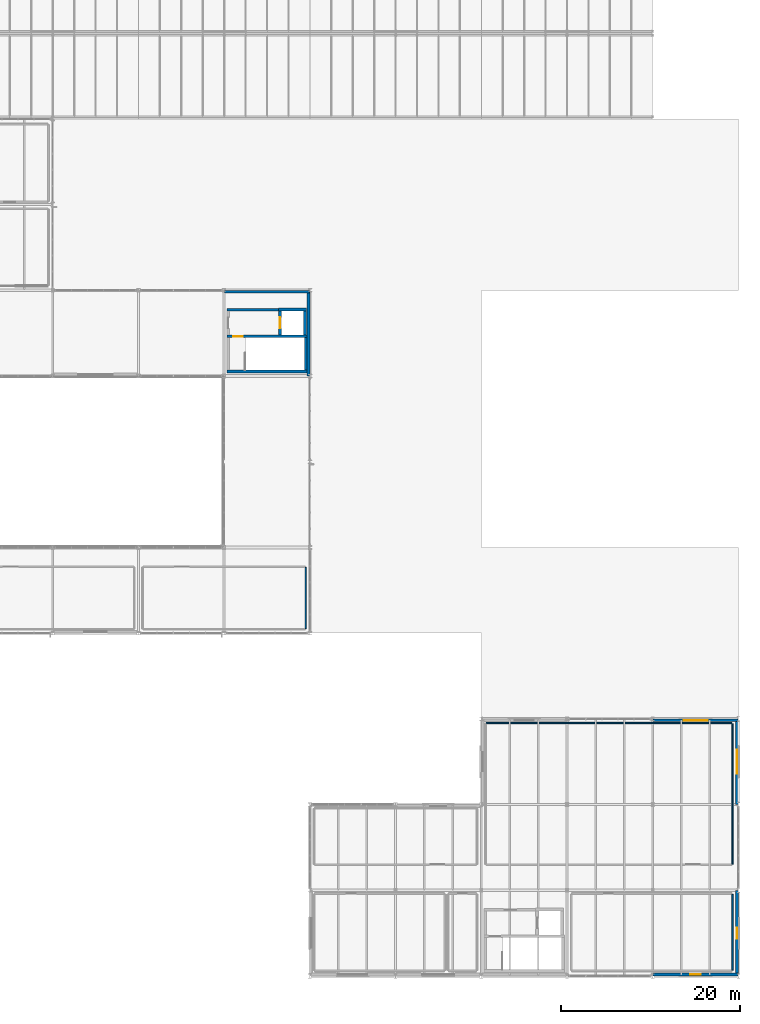
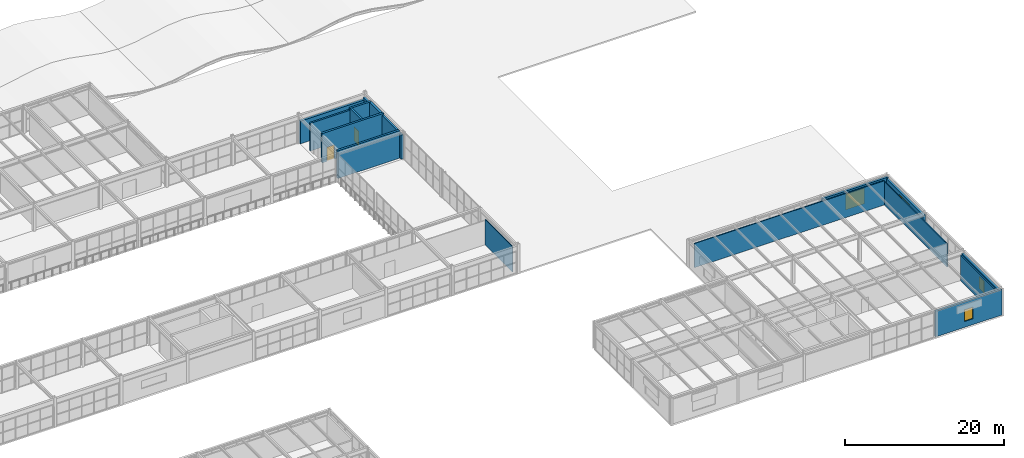
# One storey, part 156 of 170: 17 walls, 4 windows, 2 doors, 6 openings.
"""IFC4 building model written with IfcOpenShell, lengths in metres."""

from ifc_helpers import new_model, si_unit, direction, frame, frame_2d, origin, place, context, subcontext, project, spatial, rectangle, extrude, material, layer, layer_set, type_object, element, fill, save


model = new_model("IFC4")

# Units and contexts
model_context = context("Model", 3, precision=1e-05, world=origin(), true_north=direction((0.0, 1.0)))
body_context = subcontext(model_context, "Body", "Model", "MODEL_VIEW")
ifc_project = project(units=[si_unit("LENGTHUNIT", "METRE"), si_unit("AREAUNIT", "SQUARE_METRE"), si_unit("VOLUMEUNIT", "CUBIC_METRE"), si_unit("PLANEANGLEUNIT", "RADIAN"), si_unit("MASSUNIT", "GRAM", prefix="KILO")], contexts=[model_context])

# Site, building, storey
site_placement = place(None, origin())
site = spatial("IfcSite", under=ifc_project, at=site_placement, CompositionType="ELEMENT")
building_placement = place(site_placement, origin())
building = spatial("IfcBuilding", under=site, at=building_placement, Name="Coralgate Yard Interchange", CompositionType="ELEMENT")
storey_placement = place(building_placement, frame((0.0, 0.0, 6.0)))
storey = spatial("IfcBuildingStorey", under=building, at=storey_placement, Name="L01", CompositionType="ELEMENT", Elevation=6.0)

# Wall
ifc_material_1 = material(Name="Concrete C40/50", Category="concrete")
ifc_layer_1 = layer(ifc_material_1, 0.300048828125)
ifc_layer_set_1 = layer_set([ifc_layer_1], Name="Concrete C40/50")
wall_type_1 = type_object("IfcWallType", Name="WAL-CW300", PredefinedType="SHEAR", material=ifc_layer_set_1)
wall_1_placement = place(storey_placement, frame((125.10009765625, 67.699951171875, 0.0), z_axis=(0.0, 0.0, 1.0), x_axis=(1.0, 0.0, 0.0)))
element("IfcWall", 1, at=wall_1_placement, inside=storey, type_object=wall_type_1, Name="C7 L01 stair south shear wall", PredefinedType="SHEAR", context=body_context, shape_type="SweptSolid", body=[
    extrude(rectangle(XDim=9.0, YDim=0.300048828125, at=frame_2d((4.5, 0.0))), origin(), (0.0, 0.0, 1.0), 4.25),
])

# Wall, opening, door
wall_2_placement = place(storey_placement, frame((134.10009765625, 71.64990234375, 0.0), z_axis=(0.0, 0.0, 1.0), x_axis=(-1.0, 0.0, 0.0)))
wall_2 = element("IfcWall", 2, at=wall_2_placement, inside=storey, type_object=wall_type_1, Name="C7 L01 stair north shear wall", PredefinedType="SHEAR", context=body_context, shape_type="SweptSolid", body=[
    extrude(rectangle(XDim=9.0, YDim=0.300048828125, at=frame_2d((4.5, 0.0))), origin(), (0.0, 0.0, 1.0), 4.5),
])
opening_1_placement = place(wall_2_placement, frame((7.199951171875, 0.0, 0.0)))
opening_1 = element("IfcOpeningElement", 3, at=opening_1_placement, cuts=wall_2, Name="Opening FD-1", PredefinedType="OPENING", context=body_context, shape_type="SweptSolid", body=[
    extrude(rectangle(XDim=1.10009765625, YDim=2.14990234375, at=frame_2d((0.550048828125, 1.074951171875))), frame((0.0, 0.159912109375, 0.0), z_axis=(0.0, -1.0, 0.0), x_axis=(1.0, 0.0, 0.0)), (0.0, 0.0, 1.0), 0.320068359375),
])
ifc_material_2 = material(Name="Powder-coated steel fire door assembly", Category="steel")
door_type_1 = type_object("IfcDoorType", Name="DOR-FD-1", OperationType="NOTDEFINED", PredefinedType="DOOR", material=ifc_material_2)
door_1_placement = place(opening_1_placement, frame((1.10009765625, 0.0, 0.0), z_axis=(0.0, 0.0, 1.0), x_axis=(-1.0, 0.0, 0.0)))
door_1 = element("IfcDoor", 4, at=door_1_placement, inside=storey, type_object=door_type_1, Name="C7 L01 stair fire door", OperationType="SINGLE_SWING_RIGHT", OverallHeight=2.14990234375, OverallWidth=1.10009765625, PredefinedType="DOOR", context=body_context, shape_type="SweptSolid", body=[
    extrude(rectangle(XDim=1.10009765625, YDim=2.14990234375, at=frame_2d((0.550048828125, 1.074951171875))), frame((0.0, 0.02490234375, 0.0), z_axis=(0.0, -1.0, 0.0), x_axis=(1.0, 0.0, 0.0)), (0.0, 0.0, 1.0), 0.050048828125),
])
fill(opening_1, door_1)

# Wall
wall_3_placement = place(storey_placement, frame((133.949951171875, 71.5, 0.0), z_axis=(0.0, 0.0, 1.0), x_axis=(0.0, -1.0, 0.0)))
element("IfcWall", 5, at=wall_3_placement, inside=storey, type_object=wall_type_1, Name="C7 L01 stair east shear wall", PredefinedType="SHEAR", context=body_context, shape_type="SweptSolid", body=[
    extrude(rectangle(XDim=3.64990234375, YDim=0.300048828125, at=frame_2d((1.824951171875, 0.0))), origin(), (0.0, 0.0, 1.0), 4.25),
])

# Wall, opening, door
wall_4_placement = place(storey_placement, frame((131.050048828125, 74.5, 0.0), z_axis=(0.0, 0.0, 1.0), x_axis=(0.0, -1.0, 0.0)))
wall_4 = element("IfcWall", 6, at=wall_4_placement, inside=storey, type_object=wall_type_1, Name="C7 L01 lift front shear wall", PredefinedType="SHEAR", context=body_context, shape_type="SweptSolid", body=[
    extrude(rectangle(XDim=2.699951171875, YDim=0.300048828125, at=frame_2d((1.35009765625, 0.0))), origin(), (0.0, 0.0, 1.0), 4.5),
])
opening_2_placement = place(wall_4_placement, frame((0.739990234375, 0.0, 0.0)))
opening_2 = element("IfcOpeningElement", 7, at=opening_2_placement, cuts=wall_4, Name="Opening LD-3", PredefinedType="OPENING", context=body_context, shape_type="SweptSolid", body=[
    extrude(rectangle(XDim=1.219970703125, YDim=2.14990234375, at=frame_2d((0.60986328125, 1.074951171875))), frame((0.0, 0.159912109375, 0.0), z_axis=(0.0, -1.0, 0.0), x_axis=(1.0, 0.0, 0.0)), (0.0, 0.0, 1.0), 0.320068359375),
])
ifc_material_3 = material(Name="Brushed stainless steel concourse lift landing door", Category="steel")
door_type_2 = type_object("IfcDoorType", Name="DOR-LD-3", OperationType="DOUBLE_DOOR_SLIDING", PredefinedType="DOOR", material=ifc_material_3)
door_2_placement = place(opening_2_placement, frame((1.219970703125, 0.0, 0.0), z_axis=(0.0, 0.0, 1.0), x_axis=(-1.0, 0.0, 0.0)))
door_2 = element("IfcDoor", 8, at=door_2_placement, inside=storey, type_object=door_type_2, Name="LF-05 L01 sliding lift landing door", OperationType="DOUBLE_DOOR_SLIDING", OverallHeight=2.14990234375, OverallWidth=1.219970703125, PredefinedType="DOOR", context=body_context, shape_type="SweptSolid", body=[
    extrude(rectangle(XDim=1.219970703125, YDim=2.14990234375, at=frame_2d((0.60986328125, 1.074951171875))), frame((0.0, 0.02490234375, 0.0), z_axis=(0.0, -1.0, 0.0), x_axis=(1.0, 0.0, 0.0)), (0.0, 0.0, 1.0), 0.050048828125),
])
fill(opening_2, door_2)

# Walls
wall_5_placement = place(storey_placement, frame((133.85009765625, 71.800048828125, 0.0), z_axis=(0.0, 0.0, 1.0), x_axis=(0.0, 1.0, 0.0)))
element("IfcWall", 9, at=wall_5_placement, inside=storey, type_object=wall_type_1, Name="C7 L01 lift rear shear wall", PredefinedType="SHEAR", context=body_context, shape_type="SweptSolid", body=[
    extrude(rectangle(XDim=2.699951171875, YDim=0.300048828125, at=frame_2d((1.35009765625, 0.0))), origin(), (0.0, 0.0, 1.0), 4.5),
])
wall_6_placement = place(storey_placement, frame((130.89990234375, 74.64990234375, 0.0), z_axis=(0.0, 0.0, 1.0), x_axis=(1.0, 0.0, 0.0)))
element("IfcWall", 10, at=wall_6_placement, inside=storey, type_object=wall_type_1, Name="C7 L01 lift north shear wall", PredefinedType="SHEAR", context=body_context, shape_type="SweptSolid", body=[
    extrude(rectangle(XDim=3.10009765625, YDim=0.300048828125, at=frame_2d((1.550048828125, 0.0))), origin(), (0.0, 0.0, 1.0), 4.5),
])
ifc_material_4 = material(Name="Precast concrete C40/50", Category="concrete")
ifc_layer_2 = layer(ifc_material_4, 0.320068359375)
ifc_layer_set_2 = layer_set([ifc_layer_2], Name="Precast concrete C40/50")
wall_type_2 = type_object("IfcWallType", Name="WAL-EW-320", PredefinedType="SOLIDWALL", material=ifc_layer_set_2)
wall_7_placement = place(storey_placement, frame((124.820068359375, 76.639892578125, 0.0), z_axis=(0.0, 0.0, 1.0), x_axis=(1.0, 0.0, 0.0)))
element("IfcWall", 11, at=wall_7_placement, inside=storey, type_object=wall_type_2, Name="L01 exterior coastal wall N 13-7", PredefinedType="SOLIDWALL", context=body_context, shape_type="SweptSolid", body=[
    extrude(rectangle(XDim=9.559814453125, YDim=0.320068359375, at=frame_2d((4.77978515625, 0.0))), origin(), (0.0, 0.0, 1.0), 3.48779296875),
])
wall_8_placement = place(storey_placement, frame((134.239990234375, 76.780029296875, 0.0), z_axis=(0.0, 0.0, 1.0), x_axis=(0.0, -1.0, 0.0)))
element("IfcWall", 12, at=wall_8_placement, inside=storey, type_object=wall_type_2, Name="L01 exterior coastal wall E 13-7", PredefinedType="SOLIDWALL", context=body_context, shape_type="SweptSolid", body=[
    extrude(rectangle(XDim=9.56005859375, YDim=0.320068359375, at=frame_2d((4.780029296875, 0.0))), origin(), (0.0, 0.0, 1.0), 3.716796875),
])

# Wall, opening, window
wall_9_placement = place(storey_placement, frame((182.3798828125, 0.159912109375, 0.0), z_axis=(0.0, 0.0, 1.0), x_axis=(-1.0, 0.0, 0.0)))
wall_9 = element("IfcWall", 13, at=wall_9_placement, inside=storey, type_object=wall_type_2, Name="L01 exterior coastal wall S 18-0", PredefinedType="SOLIDWALL", context=body_context, shape_type="SweptSolid", body=[
    extrude(rectangle(XDim=9.559814453125, YDim=0.320068359375, at=frame_2d((4.77978515625, 0.0))), origin(), (0.0, 0.0, 1.0), 3.89990234375),
])
opening_3_placement = place(wall_9_placement, frame((4.179931640625, 0.0, 0.89990234375)))
opening_3 = element("IfcOpeningElement", 14, at=opening_3_placement, cuts=wall_9, Name="Opening W-12", PredefinedType="OPENING", context=body_context, shape_type="SweptSolid", body=[
    extrude(rectangle(XDim=1.199951171875, YDim=1.800048828125, at=frame_2d((0.60009765625, 0.89990234375))), frame((0.0, 0.169921875, 0.0), z_axis=(0.0, -1.0, 0.0), x_axis=(1.0, 0.0, 0.0)), (0.0, 0.0, 1.0), 0.340087890625),
])
ifc_material_5 = material(Name="Thermally broken anodised aluminium and solar-control low-E glass", Category="aluminium")
window_type_1 = type_object("IfcWindowType", Name="WIN-W-12", PartitioningType="SINGLE_PANEL", PredefinedType="WINDOW", material=ifc_material_5)
window_1_placement = place(opening_3_placement, origin())
window_1 = element("IfcWindow", 15, at=window_1_placement, inside=storey, type_object=window_type_1, Name="L01 coastal facade window S-18-0", OverallHeight=1.800048828125, OverallWidth=1.199951171875, PartitioningType="SINGLE_PANEL", PredefinedType="WINDOW", context=body_context, shape_type="SweptSolid", body=[
    extrude(rectangle(XDim=1.199951171875, YDim=1.800048828125, at=frame_2d((0.60009765625, 0.89990234375))), frame((0.0, 0.030029296875, 0.0), z_axis=(0.0, -1.0, 0.0), x_axis=(1.0, 0.0, 0.0)), (0.0, 0.0, 1.0), 0.06005859375),
])
fill(opening_3, window_1)

wall_10_placement = place(storey_placement, frame((182.239990234375, 9.580078125, 0.0), z_axis=(0.0, 0.0, 1.0), x_axis=(0.0, -1.0, 0.0)))
wall_10 = element("IfcWall", 16, at=wall_10_placement, inside=storey, type_object=wall_type_2, Name="L01 exterior coastal wall E 18-0", PredefinedType="SOLIDWALL", context=body_context, shape_type="SweptSolid", body=[
    extrude(rectangle(XDim=9.56005859375, YDim=0.320068359375, at=frame_2d((4.780029296875, 0.0))), origin(), (0.0, 0.0, 1.0), 3.716796875),
])
opening_4_placement = place(wall_10_placement, frame((4.179931640625, 0.0, 0.89990234375)))
opening_4 = element("IfcOpeningElement", 17, at=opening_4_placement, cuts=wall_10, Name="Opening W-12", PredefinedType="OPENING", context=body_context, shape_type="SweptSolid", body=[
    extrude(rectangle(XDim=1.199951171875, YDim=1.800048828125, at=frame_2d((0.60009765625, 0.89990234375))), frame((0.0, 0.169921875, 0.0), z_axis=(0.0, -1.0, 0.0), x_axis=(1.0, 0.0, 0.0)), (0.0, 0.0, 1.0), 0.340087890625),
])
window_2_placement = place(opening_4_placement, origin())
window_2 = element("IfcWindow", 18, at=window_2_placement, inside=storey, type_object=window_type_1, Name="L01 coastal facade window E-18-0", OverallHeight=1.800048828125, OverallWidth=1.199951171875, PartitioningType="SINGLE_PANEL", PredefinedType="WINDOW", context=body_context, shape_type="SweptSolid", body=[
    extrude(rectangle(XDim=1.199951171875, YDim=1.800048828125, at=frame_2d((0.60009765625, 0.89990234375))), frame((0.0, 0.030029296875, 0.0), z_axis=(0.0, -1.0, 0.0), x_axis=(1.0, 0.0, 0.0)), (0.0, 0.0, 1.0), 0.06005859375),
])
fill(opening_4, window_2)

wall_11_placement = place(storey_placement, frame((172.820068359375, 28.639892578125, 0.0), z_axis=(0.0, 0.0, 1.0), x_axis=(1.0, 0.0, 0.0)))
wall_11 = element("IfcWall", 19, at=wall_11_placement, inside=storey, type_object=wall_type_2, Name="L01 exterior coastal wall N 18-2", PredefinedType="SOLIDWALL", context=body_context, shape_type="SweptSolid", body=[
    extrude(rectangle(XDim=9.559814453125, YDim=0.320068359375, at=frame_2d((4.77978515625, 0.0))), origin(), (0.0, 0.0, 1.0), 3.89990234375),
])
opening_5_placement = place(wall_11_placement, frame((3.429931640625, 0.0, 0.89990234375)))
opening_5 = element("IfcOpeningElement", 20, at=opening_5_placement, cuts=wall_11, Name="Opening W-14", PredefinedType="OPENING", context=body_context, shape_type="SweptSolid", body=[
    extrude(rectangle(XDim=2.699951171875, YDim=2.39990234375, at=frame_2d((1.35009765625, 1.199951171875))), frame((0.0, 0.169921875, 0.0), z_axis=(0.0, -1.0, 0.0), x_axis=(1.0, 0.0, 0.0)), (0.0, 0.0, 1.0), 0.340087890625),
])
window_type_2 = type_object("IfcWindowType", Name="WIN-W-14", PartitioningType="SINGLE_PANEL", PredefinedType="WINDOW", material=ifc_material_5)
window_3_placement = place(opening_5_placement, origin())
window_3 = element("IfcWindow", 21, at=window_3_placement, inside=storey, type_object=window_type_2, Name="L01 coastal facade window N-18-2", OverallHeight=2.39990234375, OverallWidth=2.699951171875, PartitioningType="SINGLE_PANEL", PredefinedType="WINDOW", context=body_context, shape_type="SweptSolid", body=[
    extrude(rectangle(XDim=2.699951171875, YDim=2.39990234375, at=frame_2d((1.35009765625, 1.199951171875))), frame((0.0, 0.030029296875, 0.0), z_axis=(0.0, -1.0, 0.0), x_axis=(1.0, 0.0, 0.0)), (0.0, 0.0, 1.0), 0.06005859375),
])
fill(opening_5, window_3)

wall_12_placement = place(storey_placement, frame((182.239990234375, 28.780029296875, 0.0), z_axis=(0.0, 0.0, 1.0), x_axis=(0.0, -1.0, 0.0)))
wall_12 = element("IfcWall", 22, at=wall_12_placement, inside=storey, type_object=wall_type_2, Name="L01 exterior coastal wall E 18-2", PredefinedType="SOLIDWALL", context=body_context, shape_type="SweptSolid", body=[
    extrude(rectangle(XDim=9.56005859375, YDim=0.320068359375, at=frame_2d((4.780029296875, 0.0))), origin(), (0.0, 0.0, 1.0), 3.716796875),
])
opening_6_placement = place(wall_12_placement, frame((3.429931640625, 0.0, 0.89990234375)))
opening_6 = element("IfcOpeningElement", 23, at=opening_6_placement, cuts=wall_12, Name="Opening W-14", PredefinedType="OPENING", context=body_context, shape_type="SweptSolid", body=[
    extrude(rectangle(XDim=2.699951171875, YDim=2.39990234375, at=frame_2d((1.35009765625, 1.199951171875))), frame((0.0, 0.169921875, 0.0), z_axis=(0.0, -1.0, 0.0), x_axis=(1.0, 0.0, 0.0)), (0.0, 0.0, 1.0), 0.340087890625),
])
window_4_placement = place(opening_6_placement, origin())
window_4 = element("IfcWindow", 24, at=window_4_placement, inside=storey, type_object=window_type_2, Name="L01 coastal facade window E-18-2", OverallHeight=2.39990234375, OverallWidth=2.699951171875, PartitioningType="SINGLE_PANEL", PredefinedType="WINDOW", context=body_context, shape_type="SweptSolid", body=[
    extrude(rectangle(XDim=2.699951171875, YDim=2.39990234375, at=frame_2d((1.35009765625, 1.199951171875))), frame((0.0, 0.030029296875, 0.0), z_axis=(0.0, -1.0, 0.0), x_axis=(1.0, 0.0, 0.0)), (0.0, 0.0, 1.0), 0.06005859375),
])
fill(opening_6, window_4)

# Walls
ifc_material_6 = material(Name="Lightweight steel-stud retail partition", Category="steel")
ifc_layer_3 = layer(ifc_material_6, 0.1201171875)
ifc_layer_set_3 = layer_set([ifc_layer_3], Name="Lightweight steel-stud retail partition")
wall_type_3 = type_object("IfcWallType", Name="WAL-PW-120", PredefinedType="PARTITIONING", material=ifc_layer_set_3)
wall_13_placement = place(storey_placement, frame((133.93994140625, 45.780029296875, 0.0), z_axis=(0.0, 0.0, 1.0), x_axis=(0.0, -1.0, 0.0)))
element("IfcWall", 25, at=wall_13_placement, inside=storey, type_object=wall_type_3, Name="Mezzanine Travel Lounge Retail 06 partition E", PredefinedType="PARTITIONING", context=body_context, shape_type="SweptSolid", body=[
    extrude(rectangle(XDim=6.860107421875, YDim=0.1201171875, at=frame_2d((3.43017578125, 0.0))), origin(), (0.0, 0.0, 1.0), 3.889892578125),
])
ifc_material_7 = material(Name="Acoustic twin-stud office partition")
ifc_layer_4 = layer(ifc_material_7, 0.139892578125)
ifc_layer_set_4 = layer_set([ifc_layer_4], Name="Acoustic twin-stud office partition")
wall_type_4 = type_object("IfcWallType", Name="WAL-PW-140", PredefinedType="PARTITIONING", material=ifc_layer_set_4)
wall_14_placement = place(storey_placement, frame((154.139892578125, 28.330078125, 0.0), z_axis=(0.0, 0.0, 1.0), x_axis=(1.0, 0.0, 0.0)))
element("IfcWall", 26, at=wall_14_placement, inside=storey, type_object=wall_type_4, Name="Active Mobility Club and Route Lounge partition N", PredefinedType="PARTITIONING", context=body_context, shape_type="SweptSolid", body=[
    extrude(rectangle(XDim=27.52001953125, YDim=0.139892578125, at=frame_2d((13.760009765625, 0.0))), origin(), (0.0, 0.0, 1.0), 3.706787109375),
])
wall_15_placement = place(storey_placement, frame((181.72998046875, 28.260009765625, 0.0), z_axis=(0.0, 0.0, 1.0), x_axis=(0.0, -1.0, 0.0)))
element("IfcWall", 27, at=wall_15_placement, inside=storey, type_object=wall_type_4, Name="Active Mobility Club and Route Lounge partition E", PredefinedType="PARTITIONING", context=body_context, shape_type="SweptSolid", body=[
    extrude(rectangle(XDim=15.719970703125, YDim=0.139892578125, at=frame_2d((7.85986328125, 0.0))), origin(), (0.0, 0.0, 1.0), 3.556396484375),
])
ifc_material_8 = material(Name="Moisture-resistant masonry washroom wall", Category="masonry")
ifc_layer_5 = layer(ifc_material_8, 0.14990234375)
ifc_layer_set_5 = layer_set([ifc_layer_5], Name="Moisture-resistant masonry washroom wall")
wall_type_5 = type_object("IfcWallType", Name="WAL-PW-150", PredefinedType="PLUMBINGWALL", material=ifc_layer_set_5)
wall_16_placement = place(storey_placement, frame((181.72509765625, 9.14990234375, 0.0), z_axis=(0.0, 0.0, 1.0), x_axis=(0.0, -1.0, 0.0)))
element("IfcWall", 28, at=wall_16_placement, inside=storey, type_object=wall_type_5, Name="Cyclist Changing and Shower Suite B partition E", PredefinedType="PLUMBINGWALL", context=body_context, shape_type="SweptSolid", body=[
    extrude(rectangle(XDim=8.5, YDim=0.14990234375, at=frame_2d((4.25, 0.0))), origin(), (0.0, 0.0, 1.0), 3.889892578125),
])
ifc_layer_6 = layer(ifc_material_1, 0.25)
ifc_layer_set_6 = layer_set([ifc_layer_6], Name="Concrete C40/50")
wall_type_6 = type_object("IfcWallType", Name="WAL-SW250", PredefinedType="SHEAR", material=ifc_layer_set_6)
wall_17_placement = place(storey_placement, frame((130.89990234375, 74.625, 0.0), z_axis=(0.0, 0.0, 1.0), x_axis=(-1.0, 0.0, 0.0)))
element("IfcWall", 29, at=wall_17_placement, inside=storey, type_object=wall_type_6, Name="C7 L01 lobby north fire wall", PredefinedType="SHEAR", context=body_context, shape_type="SweptSolid", body=[
    extrude(rectangle(XDim=5.77490234375, YDim=0.25, at=frame_2d((2.887451171875, 0.0))), origin(), (0.0, 0.0, 1.0), 4.25),
])

save(model, "model.ifc")
